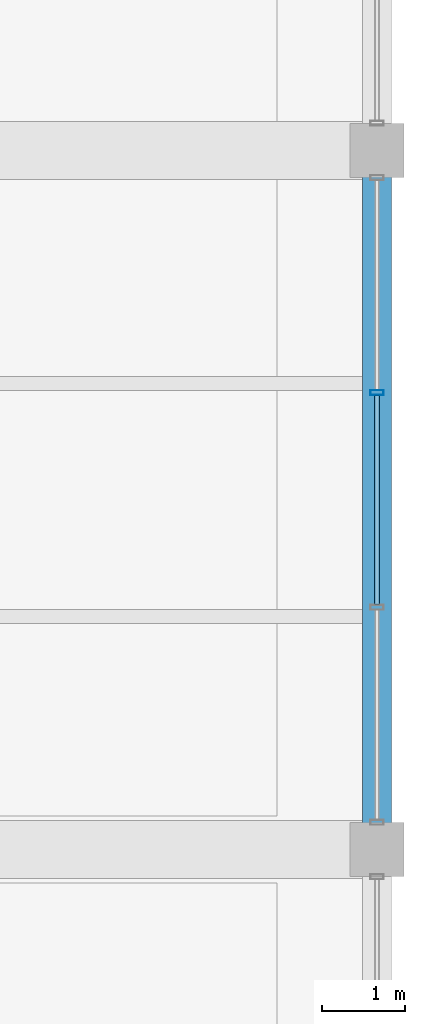
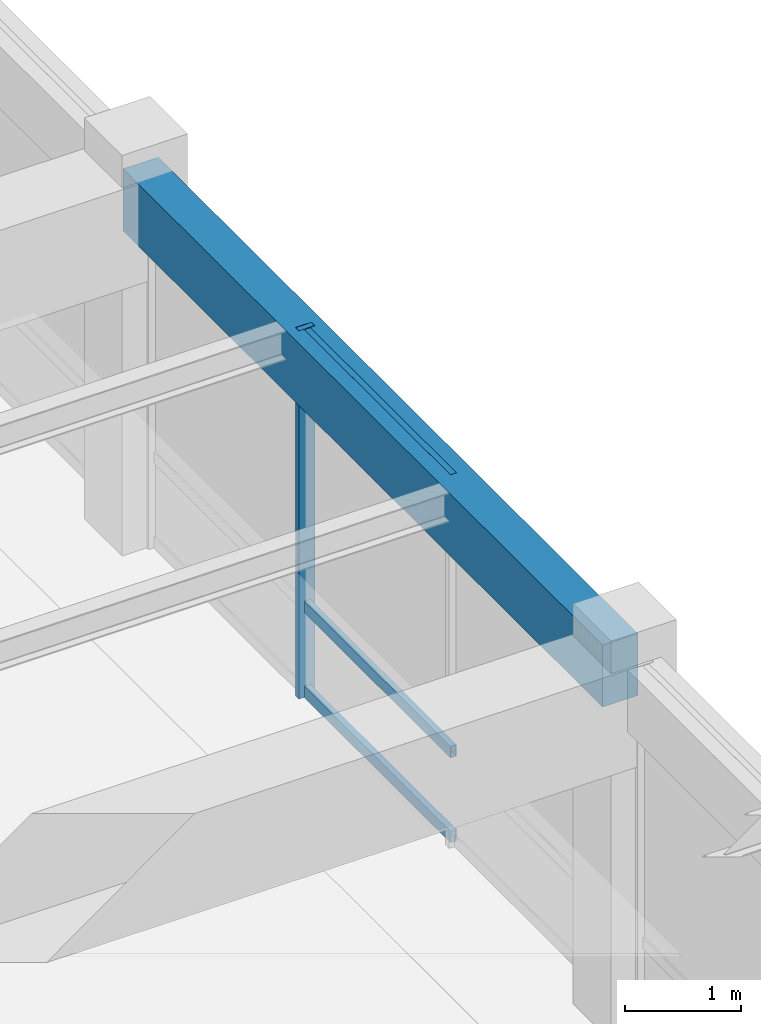
# One storey, part 97 of 138: 4 members, 1 beam, 1 element without a shape of its own.
"""IFC4 building model written with IfcOpenShell, lengths in metres."""

from ifc_helpers import new_model, si_unit, direction, frame, origin, origin_2d, place, context, subcontext, project, spatial, rectangle, hollow_rectangle, extrude, material, material_profile, profile_set, type_object, element, aggregate, save


model = new_model("IFC4")

# Units and contexts
model_context = context("Model", 3, precision=1e-05, world=origin(), true_north=direction((0.0, 1.0)))
body_context = subcontext(model_context, "Body", "Model", "MODEL_VIEW")
ifc_project = project(units=[si_unit("LENGTHUNIT", "METRE"), si_unit("AREAUNIT", "SQUARE_METRE"), si_unit("VOLUMEUNIT", "CUBIC_METRE"), si_unit("PLANEANGLEUNIT", "RADIAN"), si_unit("MASSUNIT", "GRAM", prefix="KILO"), si_unit("THERMODYNAMICTEMPERATUREUNIT", "KELVIN"), si_unit("POWERUNIT", "WATT")], contexts=[model_context])

# Site, building, storey
site_placement = place(None, origin())
site = spatial("IfcSite", under=ifc_project, at=site_placement, CompositionType="ELEMENT")
building_placement = place(site_placement, origin())
building = spatial("IfcBuilding", under=site, at=building_placement, Name="Darbajah Civic Hall", CompositionType="ELEMENT")
storey_placement = place(building_placement, frame((0.0, 0.0, 9.60009765625)))
storey = spatial("IfcBuildingStorey", under=building, at=storey_placement, Name="L02", CompositionType="ELEMENT", Elevation=9.60009765625)

# Curtain wall, members
ifc_material_1 = material(Name="Anodised Bronze Aluminium and Low-E Glazing", Category="aluminium")
curtain_wall_type = type_object("IfcCurtainWallType", Name="Unitised Curtain Wall CW-97 7700x3850", PredefinedType="USERDEFINED", material=ifc_material_1)
curtain_wall_placement = place(storey_placement, origin())
curtain_wall = element("IfcCurtainWall", 1, at=curtain_wall_placement, inside=storey, type_object=curtain_wall_type, Name="L02 unitised curtain wall CW-V4-L02-S1-B4", ObjectType="UNITISED CURTAIN WALL", PredefinedType="USERDEFINED")
ifc_material_2 = material(Name="Anodised Bronze Aluminium", Category="aluminium")
ifc_material_profile_1 = material_profile(ifc_material_2, hollow_rectangle(XDim=0.06005859375, YDim=0.159912109375, WallThickness=0.00341796875, at=origin_2d()), Name="ALU MULLION 60x160")
ifc_profile_set_1 = profile_set([ifc_material_profile_1], Name="Anodised Bronze Aluminium")
member_type_1 = type_object("IfcMemberType", Name="ALU MULLION 60x160", PredefinedType="MULLION", material=ifc_profile_set_1)
member_1_placement = place(storey_placement, frame((178.199951171875, 95.490966796875, 0.0), z_axis=(0.0, 0.0, 1.0), x_axis=(0.0, 1.0, 0.0)))
member_1 = element("IfcMember", 2, at=member_1_placement, type_object=member_type_1, Name="CW-V4-L02-S1-B4 mullion 3", PredefinedType="MULLION", context=body_context, shape_type="SweptSolid", body=[
    extrude(hollow_rectangle(XDim=0.06005859375, YDim=0.159912109375, WallThickness=0.00341796875, at=origin_2d()), origin(), (0.0, 0.0, 1.0), 3.85986328125),
])
ifc_material_profile_2 = material_profile(ifc_material_2, hollow_rectangle(XDim=0.06005859375, YDim=0.1201171875, WallThickness=0.003173828125, at=origin_2d()), Name="ALU TRANSOM 60x120")
ifc_profile_set_2 = profile_set([ifc_material_profile_2], Name="Anodised Bronze Aluminium")
member_type_2 = type_object("IfcMemberType", Name="ALU TRANSOM 60x120", PredefinedType="USERDEFINED", material=ifc_profile_set_2)
member_2_placement = place(storey_placement, frame((178.199951171875, 92.944091796875, 0.059814453125), z_axis=(0.0, 1.0, 0.0), x_axis=(-1.0, 0.0, 0.0)))
member_2 = element("IfcMember", 3, at=member_2_placement, type_object=member_type_2, Name="CW-V4-L02-S1-B4 transom 2.1", ObjectType="TRANSOM", PredefinedType="USERDEFINED", context=body_context, shape_type="SweptSolid", body=[
    extrude(hollow_rectangle(XDim=0.06005859375, YDim=0.1201171875, WallThickness=0.003173828125, at=origin_2d()), origin(), (0.0, 0.0, 1.0), 2.511962890625),
])
member_3_placement = place(storey_placement, frame((178.199951171875, 92.944091796875, 0.949951171875), z_axis=(0.0, 1.0, 0.0), x_axis=(-1.0, 0.0, 0.0)))
member_3 = element("IfcMember", 4, at=member_3_placement, type_object=member_type_2, Name="CW-V4-L02-S1-B4 transom 2.2", ObjectType="TRANSOM", PredefinedType="USERDEFINED", context=body_context, shape_type="SweptSolid", body=[
    extrude(hollow_rectangle(XDim=0.06005859375, YDim=0.1201171875, WallThickness=0.003173828125, at=origin_2d()), origin(), (0.0, 0.0, 1.0), 2.511962890625),
])
member_4_placement = place(storey_placement, frame((178.199951171875, 92.944091796875, 3.7998046875), z_axis=(0.0, 1.0, 0.0), x_axis=(-1.0, 0.0, 0.0)))
member_4 = element("IfcMember", 5, at=member_4_placement, type_object=member_type_2, Name="CW-V4-L02-S1-B4 transom 2.3", ObjectType="TRANSOM", PredefinedType="USERDEFINED", context=body_context, shape_type="SweptSolid", body=[
    extrude(hollow_rectangle(XDim=0.06005859375, YDim=0.1201171875, WallThickness=0.003173828125, at=origin_2d()), origin(), (0.0, 0.0, 1.0), 2.511962890625),
])
aggregate(curtain_wall, [member_1, member_2, member_3, member_4])

# Beam
ifc_material_3 = material(Name="Concrete C45/55", Category="concrete")
ifc_material_profile_3 = material_profile(ifc_material_3, rectangle(XDim=0.35009765625, YDim=0.64990234375, at=origin_2d()), Name="RC SPANDREL 350x650")
ifc_profile_set_3 = profile_set([ifc_material_profile_3], Name="Concrete C45/55")
beam_type = type_object("IfcBeamType", Name="RC SPANDREL 350x650", PredefinedType="SPANDREL", material=ifc_profile_set_3)
beam_placement = place(storey_placement, frame((178.199951171875, 90.080078125, 3.534912109375), z_axis=(0.0, 1.0, 0.0), x_axis=(-1.0, 0.0, 0.0)))
element("IfcBeam", 6, at=beam_placement, inside=storey, type_object=beam_type, Name="L02 beam SP-3565", PredefinedType="SPANDREL", context=body_context, shape_type="SweptSolid", body=[
    extrude(rectangle(XDim=0.35009765625, YDim=0.64990234375, at=origin_2d()), origin(), (0.0, 0.0, 1.0), 8.239990234375),
])

save(model, "model.ifc")
